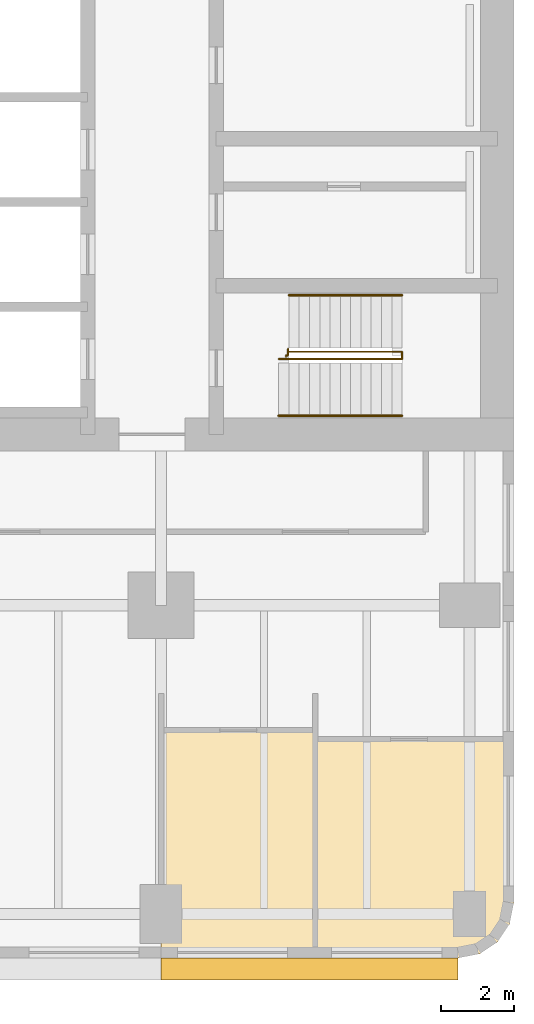
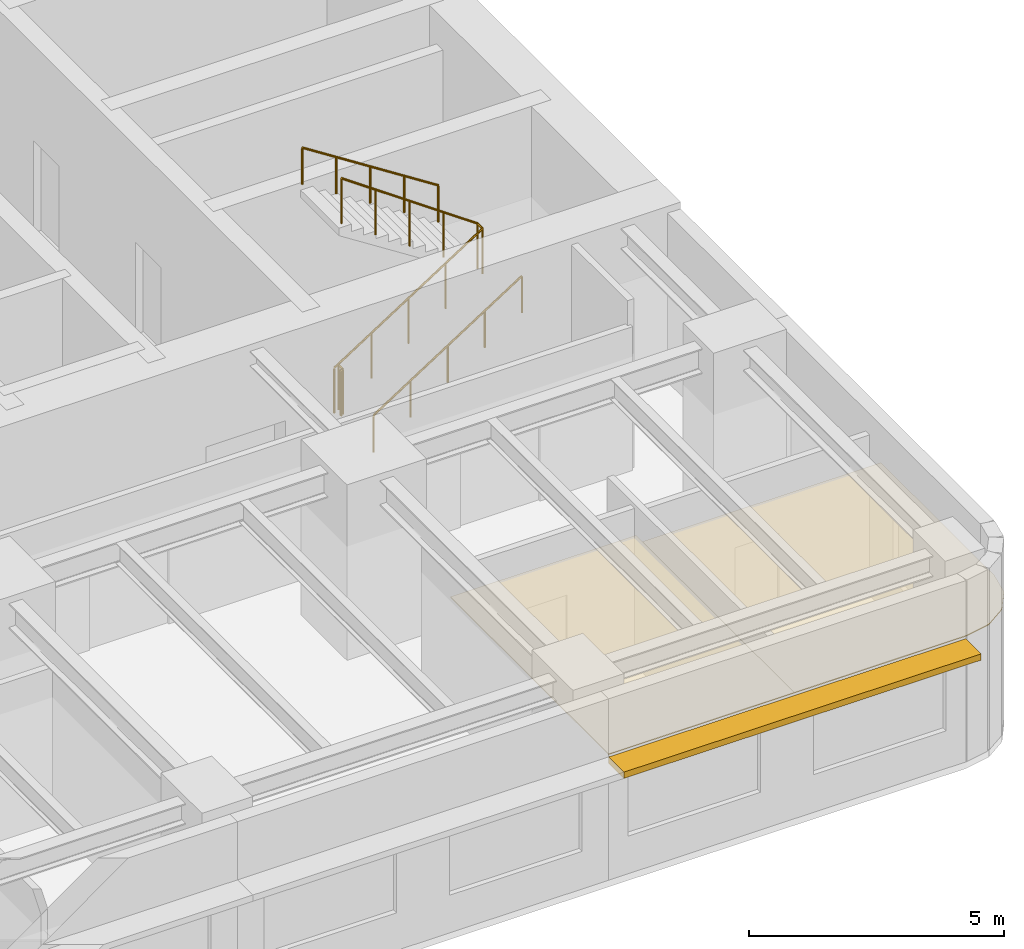
# One storey, part 11 of 14: 4 railings, 2 coverings, 1 shading device.
"""IFC4 building model written with IfcOpenShell, lengths in metres."""

import ifcopenshell
import ifcopenshell.guid

model = None  # the IFC model being written
_history = None  # IfcOwnerHistory: only IFC2X3 demands one
_inside = {}  # id of a spatial element -> (the spatial element, [elements in it])
_under = {}  # id of a project, library or spatial element -> (it, [spatial elements below it])
_declared = {}  # id of a project -> (the project, [libraries it declares])
_typed = {}  # id of a type object -> (the type object, [elements of that type])
_made_of = {}  # id of a material, layer set ... -> (it, [elements and type objects made of it])


def new_model(schema):
    """Start an empty IFC model of exactly this schema.

    Asked for "IFC4X3", IfcOpenShell would pick the latest addendum, in which some entities
    have other attributes; the version numbers below select the first issue.
    IFC2X3 requires an IfcOwnerHistory on every rooted entity: one is made here for all.
    """
    global model, _history
    if schema == "IFC4X3":
        model = ifcopenshell.file(schema_version=(4, 3, 0, 0))
    else:
        model = ifcopenshell.file(schema=schema)
    _inside.clear()
    _under.clear()
    _declared.clear()
    _typed.clear()
    _made_of.clear()
    _history = None
    if model.schema == "IFC2X3":
        org = make("IfcOrganization", Name="unknown")
        user = make(
            "IfcPersonAndOrganization",
            ThePerson=make("IfcPerson", FamilyName="unknown"),
            TheOrganization=org,
        )
        app = make(
            "IfcApplication",
            ApplicationDeveloper=org,
            Version="unknown",
            ApplicationFullName="unknown",
            ApplicationIdentifier="unknown",
        )
        _history = make(
            "IfcOwnerHistory",
            OwningUser=user,
            OwningApplication=app,
            ChangeAction="ADDED",
            CreationDate=0,
        )
    return model


def make(cls, **values):
    """One entity of the class cls with the attributes given. An attribute that is None is left unset."""
    return model.create_entity(
        cls, **{name: value for name, value in values.items() if value is not None}
    )


def rooted(cls, **values):
    """An entity with a GlobalId (a new one), such as an element, a storey or a relation."""
    return make(cls, GlobalId=ifcopenshell.guid.new(), OwnerHistory=_history, **values)


def si_unit(unit_type, name, prefix=None):
    """IfcSIUnit, for example si_unit("LENGTHUNIT", "METRE", prefix="MILLI")."""
    return make("IfcSIUnit", UnitType=unit_type, Prefix=prefix, Name=name)


def assignment(units):
    """IfcUnitAssignment: the units of a project."""
    return None if units is None else make("IfcUnitAssignment", Units=units)


def point(xyz):
    """IfcCartesianPoint."""
    return None if xyz is None else make("IfcCartesianPoint", Coordinates=xyz)


def direction(xyz):
    """IfcDirection."""
    return None if xyz is None else make("IfcDirection", DirectionRatios=xyz)


def frame(location, z_axis=None, x_axis=None):
    """IfcAxis2Placement3D, a coordinate frame: its origin and axes. An axis left out is left unset."""
    return make(
        "IfcAxis2Placement3D",
        Location=point(location),
        Axis=direction(z_axis),
        RefDirection=direction(x_axis),
    )


def frame_2d(location, x_axis=None):
    """IfcAxis2Placement2D, a coordinate frame in the plane: its origin and x axis."""
    return make(
        "IfcAxis2Placement2D", Location=point(location), RefDirection=direction(x_axis)
    )


def origin():
    """The frame at (0, 0, 0) with its axes left unset."""
    return frame((0.0, 0.0, 0.0))


def origin_2d():
    """The frame at (0, 0) in the plane with its x axis left unset."""
    return frame_2d((0.0, 0.0))


def place(relative_to, where):
    """IfcLocalPlacement: puts the frame where relative to a parent placement (None: the world)."""
    return make(
        "IfcLocalPlacement", PlacementRelTo=relative_to, RelativePlacement=where
    )


def context(
    kind, dimensions, precision=None, world=None, true_north=None, identifier=None
):
    """IfcGeometricRepresentationContext, for example the 3D "Model" context."""
    return make(
        "IfcGeometricRepresentationContext",
        ContextIdentifier=identifier,
        ContextType=kind,
        CoordinateSpaceDimension=dimensions,
        Precision=precision,
        WorldCoordinateSystem=world,
        TrueNorth=true_north,
    )


def subcontext(parent, identifier, kind, view, scale=None):
    """IfcGeometricRepresentationSubContext, for example "Body" below "Model"."""
    return make(
        "IfcGeometricRepresentationSubContext",
        ContextIdentifier=identifier,
        ContextType=kind,
        ParentContext=parent,
        TargetScale=scale,
        TargetView=view,
    )


def project(units=None, contexts=None):
    """IfcProject with its units and contexts."""
    return rooted(
        "IfcProject",
        Name="project",
        RepresentationContexts=contexts,
        UnitsInContext=assignment(units),
    )


def spatial(cls, under=None, at=None, **own):
    """A site, building, storey or space (cls), placed at a placement, below another one or the project."""
    s = rooted(cls, ObjectPlacement=at, **own)
    if under is not None:
        _under.setdefault(under.id(), (under, []))[1].append(s)
    return s


def polyline(points):
    """IfcPolyline through the points."""
    return make("IfcPolyline", Points=[point(p) for p in points])


def profile(cls, at=None, kind="AREA", **sizes):
    """A parametric profile (cls). Its sizes go by their IFC names, for example OverallWidth=200.0."""
    return make(cls, ProfileType=kind, Position=at, **sizes)


def rectangle(**sizes):
    """IfcRectangleProfileDef."""
    return profile("IfcRectangleProfileDef", **sizes)


def circle(**sizes):
    """IfcCircleProfileDef."""
    return profile("IfcCircleProfileDef", **sizes)


def outline(outer, holes=None, kind="AREA"):
    """IfcArbitraryClosedProfileDef: a profile drawn as a closed curve; with holes, ...WithVoids."""
    if holes is None:
        return make("IfcArbitraryClosedProfileDef", ProfileType=kind, OuterCurve=outer)
    return make(
        "IfcArbitraryProfileDefWithVoids",
        ProfileType=kind,
        OuterCurve=outer,
        InnerCurves=holes,
    )


def extrude(swept, where, along, depth):
    """IfcExtrudedAreaSolid: the profile swept, set in the frame where, extruded along a direction by depth."""
    return make(
        "IfcExtrudedAreaSolid",
        SweptArea=swept,
        Position=where,
        ExtrudedDirection=direction(along),
        Depth=depth,
    )


def shape(context_of_items, identifier, shape_type, items):
    """IfcShapeRepresentation: the items that make up one representation, for example the "Body"."""
    return make(
        "IfcShapeRepresentation",
        ContextOfItems=context_of_items,
        RepresentationIdentifier=identifier,
        RepresentationType=shape_type,
        Items=items,
    )


def material(Name=None, Category=None):
    """IfcMaterial."""
    return make("IfcMaterial", Name=Name, Category=Category)


def layer(
    of_material, thickness, ventilated=None, Name=None, Category=None, Priority=None
):
    """IfcMaterialLayer: one layer of a wall or slab, of a material (None: an air gap)."""
    return make(
        "IfcMaterialLayer",
        Material=of_material,
        LayerThickness=thickness,
        IsVentilated=ventilated,
        Name=Name,
        Category=Category,
        Priority=Priority,
    )


def layer_set(layers, Name=None):
    """IfcMaterialLayerSet."""
    return make("IfcMaterialLayerSet", MaterialLayers=layers, LayerSetName=Name)


def made_of(thing, what):
    """Note that an element or type object is made of a material, layer set ...; save() writes the relation."""
    if what is not None:
        _made_of.setdefault(what.id(), (what, []))[1].append(thing)
    return thing


def type_object(cls, material=None, **own):
    """A type object (cls), such as IfcWallType, which elements share."""
    return made_of(rooted(cls, **own), material)


def element(
    cls,
    number,
    at=None,
    inside=None,
    cuts=None,
    type_object=None,
    material=None,
    context=None,
    identifier="Body",
    shape_type=None,
    held_by="IfcProductDefinitionShape",
    body=None,
    shapes=None,
    **own,
):
    """One element of the class cls, such as IfcWall. Its Tag is "e" and its number.

    at: its placement. inside: the storey or other place that contains it. cuts: it is an
    opening in that element (IfcRelVoidsElement). A single representation is given by context,
    identifier, shape_type and body (its items); several are given by shapes. held_by: the class
    of the entity that holds the representations. save() writes the other relations.
    """
    e = rooted(cls, Tag="e%d" % number, ObjectPlacement=at, **own)
    if body is not None:
        shapes = [shape(context, identifier, shape_type, body)]
    if shapes is not None:
        e.Representation = make(held_by, Representations=shapes)
    if inside is not None:
        _inside.setdefault(inside.id(), (inside, []))[1].append(e)
    if cuts is not None:
        rooted(
            "IfcRelVoidsElement", RelatingBuildingElement=cuts, RelatedOpeningElement=e
        )
    if type_object is not None:
        _typed.setdefault(type_object.id(), (type_object, []))[1].append(e)
    return made_of(e, material)


def aggregate(whole, parts):
    """IfcRelAggregates: a whole, such as a stair, and the parts it consists of."""
    return rooted("IfcRelAggregates", RelatingObject=whole, RelatedObjects=parts)


def save(model, path):
    """Write the relations noted so far, then the file.

    IfcRelAggregates (storeys below a building ...), IfcRelContainedInSpatialStructure (elements
    in a storey), IfcRelDefinesByType, IfcRelAssociatesMaterial and IfcRelDeclares: one each for
    every whole, place, type object, material and project.
    """
    for whole, parts in _under.values():
        aggregate(whole, parts)
    for where, things in _inside.values():
        rooted(
            "IfcRelContainedInSpatialStructure",
            RelatedElements=things,
            RelatingStructure=where,
        )
    for kind, things in _typed.values():
        rooted("IfcRelDefinesByType", RelatedObjects=things, RelatingType=kind)
    for what, things in _made_of.values():
        rooted("IfcRelAssociatesMaterial", RelatedObjects=things, RelatingMaterial=what)
    for by, libraries in _declared.values():
        rooted("IfcRelDeclares", RelatingContext=by, RelatedDefinitions=libraries)
    model.write(path)


model = new_model("IFC4")

# Units and contexts
model_context = context("Model", 3, precision=1e-05, world=origin(), true_north=direction((0.0, 1.0)))
body_context = subcontext(model_context, "Body", "Model", "MODEL_VIEW")
ifc_project = project(units=[si_unit("LENGTHUNIT", "METRE"), si_unit("AREAUNIT", "SQUARE_METRE"), si_unit("VOLUMEUNIT", "CUBIC_METRE"), si_unit("PLANEANGLEUNIT", "RADIAN"), si_unit("MASSUNIT", "GRAM", prefix="KILO")], contexts=[model_context])

# Site, building, storey
site_placement = place(None, origin())
site = spatial("IfcSite", under=ifc_project, at=site_placement, CompositionType="ELEMENT")
building_placement = place(site_placement, origin())
building = spatial("IfcBuilding", under=site, at=building_placement, Name="Claustro Exchange Tower", CompositionType="ELEMENT")
storey_placement = place(building_placement, frame((0.0, 0.0, 59.39990234375)))
storey = spatial("IfcBuildingStorey", under=building, at=storey_placement, Name="L13", CompositionType="ELEMENT", Elevation=59.39990234375)

# Coverings
ifc_material_1 = material(Name="Gypsum board ceiling", Category="gypsum board")
ifc_layer_1 = layer(ifc_material_1, 0.02490234375)
ifc_layer_set_1 = layer_set([ifc_layer_1], Name="Gypsum board ceiling")
covering_type = type_object("IfcCoveringType", Name="CL2 plasterboard ceiling", PredefinedType="CEILING", material=ifc_layer_set_1)
covering_1_placement = place(storey_placement, frame((0.0, 0.0, 3.0)))
element("IfcCovering", 1, at=covering_1_placement, inside=storey, type_object=covering_type, Name="Ceiling CL2 L13-01", PredefinedType="CEILING", context=body_context, shape_type="SweptSolid", body=[
    extrude(outline(polyline([(51.60009765625, 0.300048828125), (51.60009765625, 4.75), (46.199951171875, 4.75), (46.199951171875, -1.199951171875), (50.10009765625, -1.199951171875), (50.674072265625, -1.085693359375), (51.16064453125, -0.7607421875), (51.48583984375, -0.27392578125), (51.60009765625, 0.300048828125)])), origin(), (0.0, 0.0, 1.0), 0.025146484375),
])
covering_2_placement = place(storey_placement, frame((0.0, 0.0, 3.0)))
element("IfcCovering", 2, at=covering_2_placement, inside=storey, type_object=covering_type, Name="Ceiling CL2 L13-02", PredefinedType="CEILING", context=body_context, shape_type="SweptSolid", body=[
    extrude(outline(polyline([(42.0, -1.199951171875), (46.199951171875, -1.199951171875), (46.199951171875, 5.0), (42.0, 5.0), (42.0, -1.199951171875)])), origin(), (0.0, 0.0, 1.0), 0.025146484375),
])

# Railings
ifc_material_2 = material(Name="Steel balustrade, painted", Category="steel")
railing_type_1 = type_object("IfcRailingType", Name="GR2 1100 steel stair guard", PredefinedType="GUARDRAIL", material=ifc_material_2)
railing_1_placement = place(storey_placement, frame((45.199951171875, 15.10009765625, 0.18017578125)))
element("IfcRailing", 3, at=railing_1_placement, inside=storey, type_object=railing_type_1, Name="Stair well guard GR2 stair STEA L13", PredefinedType="GUARDRAIL", context=body_context, shape_type="SweptSolid", body=[
    extrude(circle(Radius=0.02392578125, at=origin_2d()), frame((0.0, 0.0, 1.076171875), z_axis=(0.84119634759, 0.0, 0.540729789082), x_axis=(0.0, 1.0, 0.0)), (0.0, 0.0, 1.0), 3.994384765625),
    extrude(circle(Radius=0.02392578125, at=origin_2d()), frame((3.360107421875, 0.0, 3.23583984375), z_axis=(0.0, 1.0, 0.0), x_axis=(-1.0, 0.0, 0.0)), (0.0, 0.0, 1.0), 0.199951171875),
    extrude(circle(Radius=0.02392578125, at=origin_2d()), frame((3.360107421875, 0.199951171875, 3.23583984375), z_axis=(-0.8187499073, 0.0, 0.574150319426), x_axis=(0.0, -1.0, 0.0)), (0.0, 0.0, 1.0), 3.761962890625),
    extrude(circle(Radius=0.02099609375, at=origin_2d()), origin(), (0.0, 0.0, 1.0), 1.052001953125),
    extrude(circle(Radius=0.02099609375, at=origin_2d()), frame((0.840087890625, 0.0, 0.5400390625)), (0.0, 0.0, 1.0), 1.052001953125),
    extrude(circle(Radius=0.02099609375, at=origin_2d()), frame((1.68017578125, 0.0, 1.080078125)), (0.0, 0.0, 1.0), 1.052001953125),
    extrude(circle(Radius=0.02099609375, at=origin_2d()), frame((2.52001953125, 0.0, 1.619873046875)), (0.0, 0.0, 1.0), 1.052001953125),
    extrude(circle(Radius=0.02099609375, at=origin_2d()), frame((3.360107421875, 0.0, 2.159912109375)), (0.0, 0.0, 1.0), 1.052001953125),
    extrude(circle(Radius=0.02099609375, at=origin_2d()), frame((3.360107421875, 0.199951171875, 2.159912109375)), (0.0, 0.0, 1.0), 1.052001953125),
    extrude(circle(Radius=0.02099609375, at=origin_2d()), frame((2.590087890625, 0.199951171875, 2.699951171875)), (0.0, 0.0, 1.0), 1.052001953125),
    extrude(circle(Radius=0.02099609375, at=origin_2d()), frame((1.820068359375, 0.199951171875, 3.23974609375)), (0.0, 0.0, 1.0), 1.052001953125),
    extrude(circle(Radius=0.02099609375, at=origin_2d()), frame((1.050048828125, 0.199951171875, 3.77978515625)), (0.0, 0.0, 1.0), 1.052001953125),
    extrude(circle(Radius=0.02099609375, at=origin_2d()), frame((0.280029296875, 0.199951171875, 4.31982421875)), (0.0, 0.0, 1.0), 1.052001953125),
])
railing_2_placement = place(storey_placement, frame((45.39990234375, 15.169921875, 0.0)))
element("IfcRailing", 4, at=railing_2_placement, inside=storey, type_object=railing_type_1, Name="Stair guard GR2 STEA L13", PredefinedType="GUARDRAIL", context=body_context, shape_type="SweptSolid", body=[
    extrude(circle(Radius=0.02392578125, at=origin_2d()), frame((0.0, 0.0, 1.076171875), z_axis=(0.0, 1.0, 0.0), x_axis=(-1.0, 0.0, 0.0)), (0.0, 0.0, 1.0), 0.030029296875),
    extrude(circle(Radius=0.02392578125, at=origin_2d()), frame((0.0, 0.030029296875, 1.076171875), z_axis=(1.0, 0.0, 0.0), x_axis=(0.0, 1.0, 0.0)), (0.0, 0.0, 1.0), 0.05517578125),
    extrude(circle(Radius=0.02392578125, at=origin_2d()), frame((0.05517578125, 0.030029296875, 1.076171875), z_axis=(0.0, 1.0, 0.0), x_axis=(-1.0, 0.0, 0.0)), (0.0, 0.0, 1.0), 0.179931640625),
    extrude(circle(Radius=0.02099609375, at=origin_2d()), origin(), (0.0, 0.0, 1.0), 1.052001953125),
    extrude(circle(Radius=0.02099609375, at=origin_2d()), frame((0.0, 0.030029296875, 0.0)), (0.0, 0.0, 1.0), 1.052001953125),
    extrude(circle(Radius=0.02099609375, at=origin_2d()), frame((0.05517578125, 0.030029296875, 0.0)), (0.0, 0.0, 1.0), 1.052001953125),
    extrude(circle(Radius=0.02099609375, at=origin_2d()), frame((0.05517578125, 0.2099609375, 0.0)), (0.0, 0.0, 1.0), 1.052001953125),
])
ifc_material_3 = material(Name="Stainless steel tube", Category="steel")
railing_type_2 = type_object("IfcRailingType", Name="HR1 900 stair handrail", PredefinedType="HANDRAIL", material=ifc_material_3)
railing_3_placement = place(storey_placement, frame((45.199951171875, 13.56005859375, 0.18017578125)))
element("IfcRailing", 5, at=railing_3_placement, inside=storey, type_object=railing_type_2, Name="Handrail HR1 stair STEA L13", PredefinedType="HANDRAIL", context=body_context, shape_type="SweptSolid", body=[
    extrude(circle(Radius=0.02392578125, at=origin_2d()), frame((0.0, 0.0, 0.8759765625), z_axis=(0.84119634759, 0.0, 0.540729789082), x_axis=(0.0, 1.0, 0.0)), (0.0, 0.0, 1.0), 3.994384765625),
    extrude(circle(Radius=0.02099609375, at=origin_2d()), origin(), (0.0, 0.0, 1.0), 0.851806640625),
    extrude(circle(Radius=0.02099609375, at=origin_2d()), frame((0.840087890625, 0.0, 0.5400390625)), (0.0, 0.0, 1.0), 0.851806640625),
    extrude(circle(Radius=0.02099609375, at=origin_2d()), frame((1.68017578125, 0.0, 1.080078125)), (0.0, 0.0, 1.0), 0.851806640625),
    extrude(circle(Radius=0.02099609375, at=origin_2d()), frame((2.52001953125, 0.0, 1.619873046875)), (0.0, 0.0, 1.0), 0.851806640625),
    extrude(circle(Radius=0.02099609375, at=origin_2d()), frame((3.360107421875, 0.0, 2.159912109375)), (0.0, 0.0, 1.0), 0.851806640625),
])
railing_4_placement = place(storey_placement, frame((48.56005859375, 16.840087890625, 2.52001953125)))
element("IfcRailing", 6, at=railing_4_placement, inside=storey, type_object=railing_type_2, Name="Handrail HR1 stair STEA L13", PredefinedType="HANDRAIL", context=body_context, shape_type="SweptSolid", body=[
    extrude(circle(Radius=0.02392578125, at=origin_2d()), frame((0.0, 0.0, 0.8759765625), z_axis=(-0.84118714077, 0.0, 0.540744111576), x_axis=(0.0, -1.0, 0.0)), (0.0, 0.0, 1.0), 3.66162109375),
    extrude(circle(Radius=0.02099609375, at=origin_2d()), origin(), (0.0, 0.0, 1.0), 0.851806640625),
    extrude(circle(Radius=0.02099609375, at=origin_2d()), frame((-0.77001953125, 0.0, 0.4951171875)), (0.0, 0.0, 1.0), 0.851806640625),
    extrude(circle(Radius=0.02099609375, at=origin_2d()), frame((-1.5400390625, 0.0, 0.989990234375)), (0.0, 0.0, 1.0), 0.851806640625),
    extrude(circle(Radius=0.02099609375, at=origin_2d()), frame((-2.31005859375, 0.0, 1.48486328125)), (0.0, 0.0, 1.0), 0.851806640625),
    extrude(circle(Radius=0.02099609375, at=origin_2d()), frame((-3.080078125, 0.0, 1.97998046875)), (0.0, 0.0, 1.0), 0.851806640625),
])

# Shading device
ifc_material_4 = material(Name="Concrete HA-40 (C40/50), precast, white cement, acid-etched", Category="concrete")
ifc_layer_2 = layer(ifc_material_4, 0.14990234375)
ifc_layer_set_2 = layer_set([ifc_layer_2], Name="Concrete HA-40 (C40/50), precast, white cement, acid-etched")
shading_device_type = type_object("IfcShadingDeviceType", Name="SS1 600 precast concrete SUNSHADE", PredefinedType="SHUTTER", material=ifc_layer_set_2)
shading_device_placement = place(storey_placement, frame((46.04248046875, -1.5, 2.800048828125), z_axis=(0.0, 0.0, 1.0), x_axis=(-1.0, 0.0, 0.0)))
element("IfcShadingDevice", 7, at=shading_device_placement, inside=storey, type_object=shading_device_type, Name="Precast SUNSHADE SS1 L13", PredefinedType="SHUTTER", context=body_context, shape_type="SweptSolid", body=[
    extrude(rectangle(XDim=8.085205078125, YDim=0.60009765625, at=origin_2d()), origin(), (0.0, 0.0, 1.0), 0.14990234375),
])

save(model, "model.ifc")
